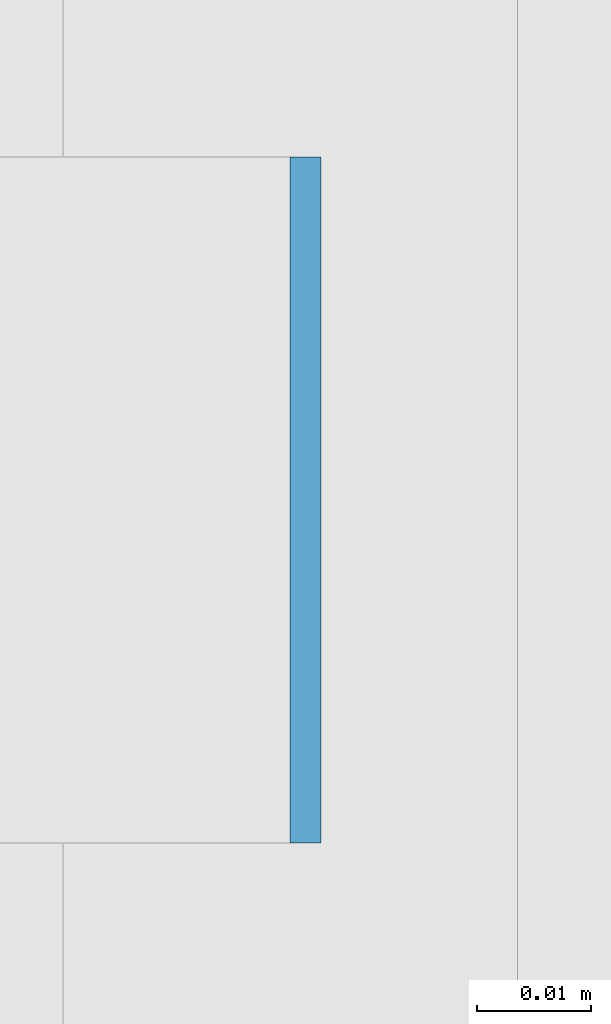
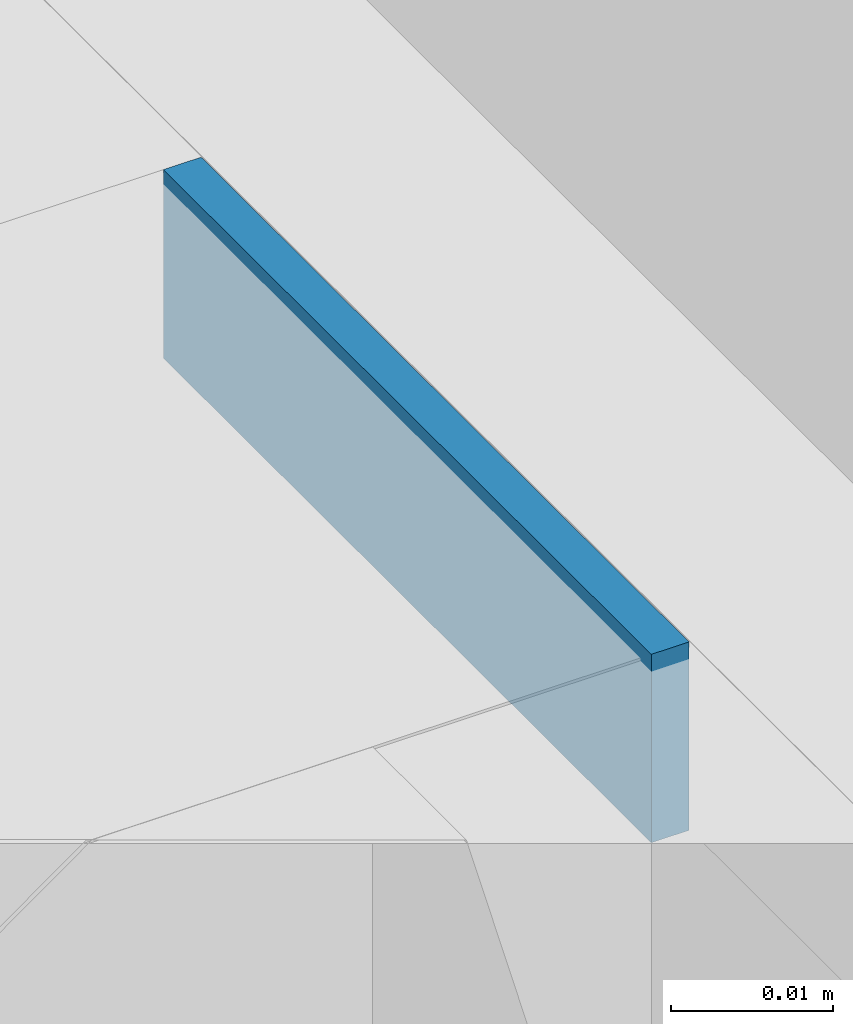
# One storey, part 353 of 646: 1 discrete accessory.
"""IFC4 building model written with IfcOpenShell, lengths in metres."""

from ifc_helpers import new_model, si_unit, direction, frame, origin, origin_2d, place, context, subcontext, project, spatial, rectangle, extrude, material, type_object, element, save


model = new_model("IFC4")

# Units and contexts
model_context = context("Model", 3, precision=1e-05, world=origin(), true_north=direction((0.0, 1.0)))
body_context = subcontext(model_context, "Body", "Model", "MODEL_VIEW")
ifc_project = project(units=[si_unit("LENGTHUNIT", "METRE"), si_unit("AREAUNIT", "SQUARE_METRE"), si_unit("VOLUMEUNIT", "CUBIC_METRE"), si_unit("PLANEANGLEUNIT", "RADIAN"), si_unit("MASSUNIT", "GRAM", prefix="KILO")], contexts=[model_context])

# Site, building, storey
site_placement = place(None, origin())
site = spatial("IfcSite", under=ifc_project, at=site_placement, CompositionType="ELEMENT")
building_placement = place(site_placement, origin())
building = spatial("IfcBuilding", under=site, at=building_placement, Name="Silverbay Arena", CompositionType="ELEMENT")
storey_placement = place(building_placement, frame((0.0, 0.0, 33.5)))
storey = spatial("IfcBuildingStorey", under=building, at=storey_placement, Name="L05", CompositionType="ELEMENT", Elevation=33.5)

# Discrete accessory
ifc_material = material(Name="Steel S355", Category="steel")
discrete_accessory_type = type_object("IfcDiscreteAccessoryType", Name="Steel bracket plate", PredefinedType="BRACKET", material=ifc_material)
discrete_accessory_placement = place(storey_placement, frame((53.871337890625, 92.571533203125, 12.98583984375), z_axis=(0.0, 0.0, 1.0), x_axis=(1.0, 0.0, 0.0)))
element("IfcDiscreteAccessory", 1, at=discrete_accessory_placement, inside=storey, type_object=discrete_accessory_type, Name="Curtain wall packing plate", PredefinedType="BRACKET", context=body_context, shape_type="SweptSolid", body=[
    extrude(rectangle(XDim=0.002685546875, YDim=0.06005859375, at=origin_2d()), origin(), (0.0, 0.0, 1.0), 0.01416015625),
])

save(model, "model.ifc")
